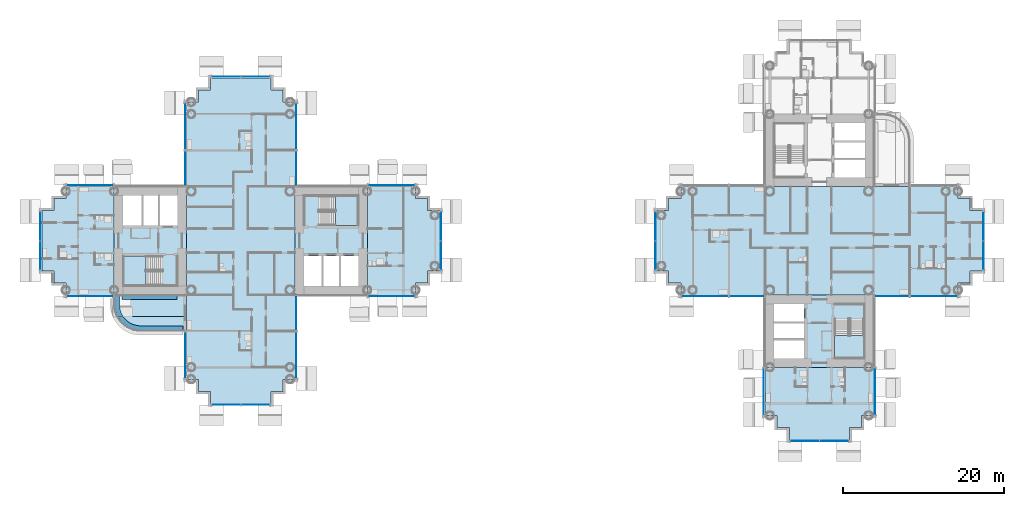
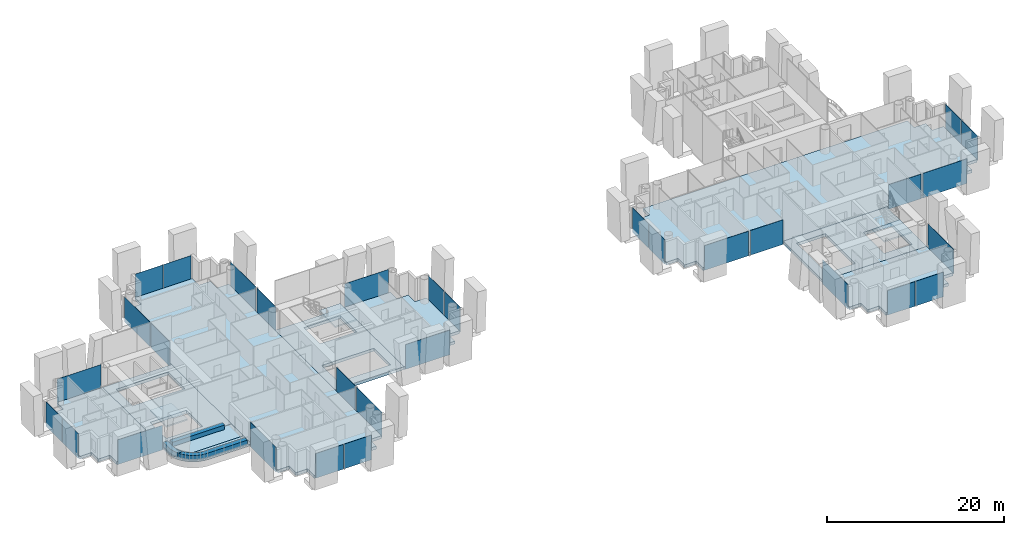
# One storey, part 8 of 25: 31 plates, 16 slabs, 27 elements without a shape of their own.
"""IFC4 building model written with IfcOpenShell, lengths in metres."""

from ifc_helpers import new_model, si_unit, direction, frame, origin, origin_2d, place, context, subcontext, project, spatial, polyline, rectangle, outline, extrude, material, layer, layer_set, type_object, element, aggregate, save


model = new_model("IFC4")

# Units and contexts
model_context = context("Model", 3, precision=1e-05, world=origin(), true_north=direction((0.0, 1.0)))
body_context = subcontext(model_context, "Body", "Model", "MODEL_VIEW")
ifc_project = project(units=[si_unit("LENGTHUNIT", "METRE"), si_unit("AREAUNIT", "SQUARE_METRE"), si_unit("VOLUMEUNIT", "CUBIC_METRE"), si_unit("PLANEANGLEUNIT", "RADIAN"), si_unit("MASSUNIT", "GRAM", prefix="KILO")], contexts=[model_context])

# Site, building, storey
site_placement = place(None, origin())
site = spatial("IfcSite", under=ifc_project, at=site_placement, CompositionType="ELEMENT")
building_placement = place(site_placement, origin())
building = spatial("IfcBuilding", under=site, at=building_placement, Name="Ipe Terrace Towers", CompositionType="ELEMENT")
storey_placement = place(building_placement, frame((0.0, 0.0, 65.300048828125)))
storey = spatial("IfcBuildingStorey", under=building, at=storey_placement, Name="L17", CompositionType="ELEMENT", Elevation=65.300048828125)

# Slabs
ifc_material_1 = material(Name="Concrete C30/37", Category="concrete")
ifc_layer_1 = layer(ifc_material_1, 0.199951171875)
ifc_layer_set_1 = layer_set([ifc_layer_1], Name="BALCONY SLAB 200")
slab_type_1 = type_object("IfcSlabType", Name="BALCONY SLAB 200", PredefinedType="FLOOR", material=ifc_layer_set_1)
slab_1_placement = place(storey_placement, frame((0.0, 0.0, -0.219970703125)))
element("IfcSlab", 1, at=slab_1_placement, inside=storey, type_object=slab_type_1, Name="balcony slab", PredefinedType="FLOOR", context=body_context, shape_type="SweptSolid", body=[
    extrude(outline(polyline([(-51.4990234375, -9.212890625), (-51.382080078125, -9.449951171875), (-42.75, -9.449951171875), (-42.75, -6.75), (-51.75, -6.75), (-51.75, -7.949951171875), (-51.721923828125, -8.381103515625), (-51.637939453125, -8.803955078125), (-51.4990234375, -9.212890625)])), origin(), (0.0, 0.0, 1.0), 0.199951171875),
])
slab_2_placement = place(storey_placement, frame((0.0, 0.0, -0.219970703125)))
element("IfcSlab", 2, at=slab_2_placement, inside=storey, type_object=slab_type_1, Name="balcony slab", PredefinedType="FLOOR", context=body_context, shape_type="SweptSolid", body=[
    extrude(outline(polyline([(-42.75, -11.25), (-42.75, -9.449951171875), (-51.382080078125, -9.449951171875), (-51.30810546875, -9.60009765625), (-51.068115234375, -9.958984375), (-50.782958984375, -10.282958984375), (-50.458984375, -10.568115234375), (-50.10009765625, -10.80810546875), (-49.712890625, -10.9990234375), (-49.303955078125, -11.137939453125), (-48.881103515625, -11.221923828125), (-48.449951171875, -11.25), (-42.75, -11.25)])), origin(), (0.0, 0.0, 1.0), 0.199951171875),
])
ifc_material_2 = material(Name="Concrete C30/37", Category="concrete")
ifc_layer_2 = layer(ifc_material_2, 0.39990234375)
ifc_layer_set_2 = layer_set([ifc_layer_2], Name="CORE FLOOR SLAB 400 C30-37")
slab_type_2 = type_object("IfcSlabType", Name="CORE FLOOR SLAB 400 C30-37", PredefinedType="FLOOR", material=ifc_layer_set_2)
slab_3_placement = place(storey_placement, frame((0.0, 0.0, -0.400146484375)))
element("IfcSlab", 3, at=slab_3_placement, inside=storey, type_object=slab_type_2, Name="Core floor T1-C1", PredefinedType="FLOOR", context=body_context, shape_type="SweptSolid", body=[
    extrude(outline(polyline([(-29.25, -6.75), (-29.25, 6.75), (-20.25, 6.75), (-20.25, -6.75), (-29.25, -6.75)]), holes=[polyline([(-28.14990234375, -5.64990234375), (-21.35009765625, -5.64990234375), (-21.35009765625, -1.89990234375), (-28.14990234375, -1.89990234375), (-28.14990234375, -5.64990234375)]), polyline([(-26.199951171875, 5.550048828125), (-26.199951171875, 1.89990234375), (-21.449951171875, 1.89990234375), (-21.449951171875, 5.550048828125), (-26.199951171875, 5.550048828125)])]), origin(), (0.0, 0.0, 1.0), 0.400146484375),
])
slab_4_placement = place(storey_placement, frame((0.0, 0.0, -0.400146484375)))
element("IfcSlab", 4, at=slab_4_placement, inside=storey, type_object=slab_type_2, Name="Core floor T1-C2", PredefinedType="FLOOR", context=body_context, shape_type="SweptSolid", body=[
    extrude(outline(polyline([(-51.75, -6.75), (-51.75, 6.75), (-42.75, 6.75), (-42.75, -6.75), (-51.75, -6.75)]), holes=[polyline([(-45.800048828125, -5.550048828125), (-45.800048828125, -1.89990234375), (-50.550048828125, -1.89990234375), (-50.550048828125, -5.550048828125), (-45.800048828125, -5.550048828125)]), polyline([(-50.64990234375, 1.89990234375), (-43.85009765625, 1.89990234375), (-43.85009765625, 5.64990234375), (-50.64990234375, 5.64990234375), (-50.64990234375, 1.89990234375)])]), origin(), (0.0, 0.0, 1.0), 0.400146484375),
])
slab_5_placement = place(storey_placement, frame((0.0, 0.0, -0.400146484375)))
element("IfcSlab", 5, at=slab_5_placement, inside=storey, type_object=slab_type_2, Name="Core floor T2-C2", PredefinedType="FLOOR", context=body_context, shape_type="SweptSolid", body=[
    extrude(outline(polyline([(29.25, -15.75), (29.25, -6.75), (42.75, -6.75), (42.75, -15.75), (29.25, -15.75)]), holes=[polyline([(34.10009765625, -14.64990234375), (34.10009765625, -7.85009765625), (30.35009765625, -7.85009765625), (30.35009765625, -14.64990234375), (34.10009765625, -14.64990234375)]), polyline([(41.550048828125, -9.800048828125), (37.89990234375, -9.800048828125), (37.89990234375, -14.550048828125), (41.550048828125, -14.550048828125), (41.550048828125, -9.800048828125)])]), origin(), (0.0, 0.0, 1.0), 0.400146484375),
])

# Stair, slab
ifc_material_3 = material(Name="Concrete C30/37", Category="concrete")
stair_type = type_object("IfcStairType", Name="Protected exit stair", PredefinedType="HALF_TURN_STAIR", material=ifc_material_3)
stair_1_placement = place(storey_placement, origin())
stair_1 = element("IfcStair", 6, at=stair_1_placement, inside=storey, type_object=stair_type, Name="L17 Exit stair T1-C1", PredefinedType="HALF_TURN_STAIR")
ifc_material_4 = material(Name="Concrete C30/37", Category="concrete")
ifc_layer_3 = layer(ifc_material_4, 0.199951171875)
ifc_layer_set_3 = layer_set([ifc_layer_3], Name="Exit stair landing 200")
slab_type_3 = type_object("IfcSlabType", Name="Exit stair landing 200", PredefinedType="LANDING", material=ifc_layer_set_3)
slab_6_placement = place(storey_placement, frame((0.0, 0.0, 1.5)))
slab_6 = element("IfcSlab", 7, at=slab_6_placement, type_object=slab_type_3, Name="T1-ST1 landing 1", PredefinedType="LANDING", context=body_context, shape_type="SweptSolid", body=[
    extrude(outline(polyline([(-24.219970703125, 1.89990234375), (-21.449951171875, 1.89990234375), (-21.449951171875, 5.550048828125), (-24.219970703125, 5.550048828125), (-24.219970703125, 1.89990234375)])), origin(), (0.0, 0.0, 1.0), 0.199951171875),
])
aggregate(stair_1, [slab_6])

stair_2_placement = place(storey_placement, origin())
stair_2 = element("IfcStair", 8, at=stair_2_placement, inside=storey, type_object=stair_type, Name="L17 Exit stair T1-C2", PredefinedType="HALF_TURN_STAIR")
slab_7_placement = place(storey_placement, frame((0.0, 0.0, 1.5)))
slab_7 = element("IfcSlab", 9, at=slab_7_placement, type_object=slab_type_3, Name="T1-ST2 landing 1", PredefinedType="LANDING", context=body_context, shape_type="SweptSolid", body=[
    extrude(outline(polyline([(-47.780029296875, -1.89990234375), (-50.550048828125, -1.89990234375), (-50.550048828125, -5.550048828125), (-47.780029296875, -5.550048828125), (-47.780029296875, -1.89990234375)])), origin(), (0.0, 0.0, 1.0), 0.199951171875),
])
aggregate(stair_2, [slab_7])

stair_3_placement = place(storey_placement, origin())
stair_3 = element("IfcStair", 10, at=stair_3_placement, inside=storey, type_object=stair_type, Name="L17 Exit stair T2-C2", PredefinedType="HALF_TURN_STAIR")
slab_8_placement = place(storey_placement, frame((0.0, 0.0, 1.5)))
slab_8 = element("IfcSlab", 11, at=slab_8_placement, type_object=slab_type_3, Name="T2-ST2 landing 1", PredefinedType="LANDING", context=body_context, shape_type="SweptSolid", body=[
    extrude(outline(polyline([(37.89990234375, -11.780029296875), (37.89990234375, -14.550048828125), (41.550048828125, -14.550048828125), (41.550048828125, -11.780029296875), (37.89990234375, -11.780029296875)])), origin(), (0.0, 0.0, 1.0), 0.199951171875),
])
aggregate(stair_3, [slab_8])

# Slabs
ifc_material_5 = material(Name="Concrete C40/50", Category="concrete")
ifc_layer_4 = layer(ifc_material_5, 0.39990234375)
ifc_layer_set_4 = layer_set([ifc_layer_4], Name="FLAT PLATE SLAB 400 C40-50")
slab_type_4 = type_object("IfcSlabType", Name="FLAT PLATE SLAB 400 C40-50", PredefinedType="FLOOR", material=ifc_layer_set_4)
slab_9_placement = place(storey_placement, frame((0.0, 0.0, -0.400146484375)))
element("IfcSlab", 12, at=slab_9_placement, inside=storey, type_object=slab_type_4, Name="Slab T1-FS-Z11", PredefinedType="FLOOR", context=body_context, shape_type="SweptSolid", body=[
    extrude(outline(polyline([(-30.75, -17.25), (-30.75, -18.75), (-32.25, -18.75), (-32.25, -20.25), (-39.75, -20.25), (-39.75, -18.75), (-41.25, -18.75), (-41.25, -17.25), (-42.75, -17.25), (-42.75, -6.75), (-42.75, 6.75), (-42.75, 17.25), (-41.25, 17.25), (-41.25, 18.75), (-39.75, 18.75), (-39.75, 20.25), (-32.25, 20.25), (-32.25, 18.75), (-30.75, 18.75), (-30.75, 17.25), (-29.25, 17.25), (-29.25, 6.75), (-29.25, -6.75), (-29.25, -17.25), (-30.75, -17.25)])), origin(), (0.0, 0.0, 1.0), 0.400146484375),
])
slab_10_placement = place(storey_placement, frame((0.0, 0.0, -0.400146484375)))
element("IfcSlab", 13, at=slab_10_placement, inside=storey, type_object=slab_type_4, Name="Slab T1-FS-Z12", PredefinedType="FLOOR", context=body_context, shape_type="SweptSolid", body=[
    extrude(outline(polyline([(-57.75, -6.75), (-57.75, -5.25), (-59.25, -5.25), (-59.25, -3.75), (-60.75, -3.75), (-60.75, 3.75), (-59.25, 3.75), (-59.25, 5.25), (-57.75, 5.25), (-57.75, 6.75), (-51.75, 6.75), (-51.75, -6.75), (-57.75, -6.75)])), origin(), (0.0, 0.0, 1.0), 0.400146484375),
])
slab_11_placement = place(storey_placement, frame((0.0, 0.0, -0.400146484375)))
element("IfcSlab", 14, at=slab_11_placement, inside=storey, type_object=slab_type_4, Name="Slab T1-FS-Z13", PredefinedType="FLOOR", context=body_context, shape_type="SweptSolid", body=[
    extrude(outline(polyline([(-14.25, 5.25), (-12.75, 5.25), (-12.75, 3.75), (-11.25, 3.75), (-11.25, -3.75), (-12.75, -3.75), (-12.75, -5.25), (-14.25, -5.25), (-14.25, -6.75), (-20.25, -6.75), (-20.25, 6.75), (-14.25, 6.75), (-14.25, 5.25)])), origin(), (0.0, 0.0, 1.0), 0.400146484375),
])
slab_12_placement = place(storey_placement, frame((0.0, 0.0, -0.400146484375)))
element("IfcSlab", 15, at=slab_12_placement, inside=storey, type_object=slab_type_4, Name="Slab T2-FS-Z11", PredefinedType="FLOOR", context=body_context, shape_type="SweptSolid", body=[
    extrude(outline(polyline([(53.25, 5.25), (54.75, 5.25), (54.75, 3.75), (56.25, 3.75), (56.25, -3.75), (54.75, -3.75), (54.75, -5.25), (53.25, -5.25), (53.25, -6.75), (42.75, -6.75), (29.25, -6.75), (18.75, -6.75), (18.75, -5.25), (17.25, -5.25), (17.25, -3.75), (15.75, -3.75), (15.75, 3.75), (17.25, 3.75), (17.25, 5.25), (18.75, 5.25), (18.75, 6.75), (29.25, 6.75), (42.75, 6.75), (53.25, 6.75), (53.25, 5.25)])), origin(), (0.0, 0.0, 1.0), 0.400146484375),
])
slab_13_placement = place(storey_placement, frame((0.0, 0.0, -0.400146484375)))
element("IfcSlab", 16, at=slab_13_placement, inside=storey, type_object=slab_type_4, Name="Slab T2-FS-Z12", PredefinedType="FLOOR", context=body_context, shape_type="SweptSolid", body=[
    extrude(outline(polyline([(42.75, -21.75), (41.25, -21.75), (41.25, -23.25), (39.75, -23.25), (39.75, -24.75), (32.25, -24.75), (32.25, -23.25), (30.75, -23.25), (30.75, -21.75), (29.25, -21.75), (29.25, -15.75), (42.75, -15.75), (42.75, -21.75)])), origin(), (0.0, 0.0, 1.0), 0.400146484375),
])
ifc_material_6 = material(Name="Concrete C30/37", Category="concrete")
ifc_layer_5 = layer(ifc_material_6, 0.60009765625)
ifc_layer_set_5 = layer_set([ifc_layer_5], Name="PLANTER TROUGH 550 x 600")
slab_type_5 = type_object("IfcSlabType", Name="PLANTER TROUGH 550 x 600", PredefinedType="USERDEFINED", material=ifc_layer_set_5)
slab_14_placement = place(storey_placement, frame((0.0, 0.0, -0.02001953125)))
element("IfcSlab", 17, at=slab_14_placement, inside=storey, type_object=slab_type_5, Name="planter", ObjectType="PLANTER", PredefinedType="USERDEFINED", context=body_context, shape_type="SweptSolid", body=[
    extrude(outline(polyline([(-50.9990234375, -8.633056640625), (-51.06591796875, -8.2939453125), (-51.090087890625, -7.927978515625), (-51.090087890625, -6.75), (-51.639892578125, -6.75), (-51.639892578125, -7.93701171875), (-51.638916015625, -7.955078125), (-51.614013671875, -8.347900390625), (-51.60888671875, -8.384033203125), (-51.534912109375, -8.758056640625), (-51.52490234375, -8.79296875), (-51.403076171875, -9.154052734375), (-51.388916015625, -9.18701171875), (-51.259033203125, -9.449951171875), (-50.614013671875, -9.449951171875), (-50.735107421875, -9.26904296875), (-50.887939453125, -8.9599609375), (-50.9990234375, -8.633056640625)])), origin(), (0.0, 0.0, 1.0), 0.599853515625),
])
slab_15_placement = place(storey_placement, frame((0.0, 0.0, -0.02001953125)))
element("IfcSlab", 18, at=slab_15_placement, inside=storey, type_object=slab_type_5, Name="planter", ObjectType="PLANTER", PredefinedType="USERDEFINED", context=body_context, shape_type="SweptSolid", body=[
    extrude(outline(polyline([(-50.54296875, -9.555908203125), (-50.614013671875, -9.449951171875), (-51.259033203125, -9.449951171875), (-51.219970703125, -9.529052734375), (-51.201904296875, -9.56005859375), (-50.990966796875, -9.876953125), (-50.968994140625, -9.905029296875), (-50.717041015625, -10.19189453125), (-50.69189453125, -10.217041015625), (-50.405029296875, -10.468994140625), (-50.376953125, -10.490966796875), (-50.06005859375, -10.701904296875), (-50.029052734375, -10.719970703125), (-49.68701171875, -10.888916015625), (-49.654052734375, -10.903076171875), (-49.29296875, -11.02490234375), (-49.258056640625, -11.034912109375), (-48.884033203125, -11.10888671875), (-48.847900390625, -11.114013671875), (-48.455078125, -11.138916015625), (-48.43701171875, -11.139892578125), (-43.199951171875, -11.139892578125), (-43.199951171875, -10.590087890625), (-48.427978515625, -10.590087890625), (-48.7939453125, -10.56591796875), (-49.133056640625, -10.4990234375), (-49.4599609375, -10.387939453125), (-49.76904296875, -10.235107421875), (-50.055908203125, -10.04296875), (-50.31591796875, -9.81591796875), (-50.54296875, -9.555908203125)])), origin(), (0.0, 0.0, 1.0), 0.599853515625),
])
slab_16_placement = place(storey_placement, frame((0.0, 0.0, -0.02001953125)))
element("IfcSlab", 19, at=slab_16_placement, inside=storey, type_object=slab_type_5, Name="planter", ObjectType="PLANTER", PredefinedType="USERDEFINED", context=body_context, shape_type="SweptSolid", body=[
    extrude(outline(polyline([(-43.949951171875, -6.75), (-50.75, -6.75), (-50.75, -7.300048828125), (-43.949951171875, -7.300048828125), (-43.949951171875, -6.75)])), origin(), (0.0, 0.0, 1.0), 0.599853515625),
])

# Curtain wall, plate
ifc_material_7 = material(Name="Aluminium alloy 6063-T6", Category="aluminium")
ifc_layer_6 = layer(ifc_material_7, 0.320068359375)
ifc_layer_set_6 = layer_set([ifc_layer_6], Name="TOWER UNITISED CURTAIN WALL")
curtain_wall_type = type_object("IfcCurtainWallType", Name="TOWER UNITISED CURTAIN WALL", PredefinedType="NOTDEFINED", material=ifc_layer_set_6)
curtain_wall_1_placement = place(storey_placement, origin())
curtain_wall_1 = element("IfcCurtainWall", 20, at=curtain_wall_1_placement, inside=storey, type_object=curtain_wall_type, Name="T1-CW-L17-04a curtain wall", PredefinedType="NOTDEFINED")
ifc_material_8 = material(Name="Glass, clear laminated", Category="glass")
ifc_layer_7 = layer(ifc_material_8, 0.031982421875)
ifc_layer_set_7 = layer_set([ifc_layer_7], Name="TOWER UNITISED GLASS PANEL 32")
plate_type = type_object("IfcPlateType", Name="TOWER UNITISED GLASS PANEL 32", PredefinedType="CURTAIN_PANEL", material=ifc_layer_set_7)
plate_1_placement = place(storey_placement, frame((-54.75048828125, -6.909912109375, -0.300048828125), z_axis=(0.0, 0.0, 1.0), x_axis=(1.0, 0.0, 0.0)))
plate_1 = element("IfcPlate", 21, at=plate_1_placement, type_object=plate_type, Name="T1-CW-L17-04a panel 1", PredefinedType="CURTAIN_PANEL", context=body_context, shape_type="SweptSolid", body=[
    extrude(rectangle(XDim=5.759033203125, YDim=0.031982421875, at=origin_2d()), origin(), (0.0, 0.0, 1.0), 3.39990234375),
])
aggregate(curtain_wall_1, [plate_1])

curtain_wall_2_placement = place(storey_placement, origin())
curtain_wall_2 = element("IfcCurtainWall", 22, at=curtain_wall_2_placement, inside=storey, type_object=curtain_wall_type, Name="T1-CW-L17-07a curtain wall", PredefinedType="NOTDEFINED")
plate_2_placement = place(storey_placement, frame((-42.909912109375, -14.25, -0.300048828125), z_axis=(0.0, 0.0, 1.0), x_axis=(0.0, -1.0, 0.0)))
plate_2 = element("IfcPlate", 23, at=plate_2_placement, type_object=plate_type, Name="T1-CW-L17-07a panel 1", PredefinedType="CURTAIN_PANEL", context=body_context, shape_type="SweptSolid", body=[
    extrude(rectangle(XDim=5.760009765625, YDim=0.031982421875, at=origin_2d()), origin(), (0.0, 0.0, 1.0), 3.39990234375),
])
aggregate(curtain_wall_2, [plate_2])

# Curtain wall, plates
curtain_wall_3_placement = place(storey_placement, origin())
curtain_wall_3 = element("IfcCurtainWall", 24, at=curtain_wall_3_placement, inside=storey, type_object=curtain_wall_type, Name="T1-CW-L17-12a curtain wall", PredefinedType="NOTDEFINED")
plate_3_placement = place(storey_placement, frame((-37.831298828125, -20.409912109375, -0.300048828125), z_axis=(0.0, 0.0, 1.0), x_axis=(1.0, 0.0, 0.0)))
plate_3 = element("IfcPlate", 25, at=plate_3_placement, type_object=plate_type, Name="T1-CW-L17-12a panel 1", PredefinedType="CURTAIN_PANEL", context=body_context, shape_type="SweptSolid", body=[
    extrude(rectangle(XDim=3.597412109375, YDim=0.031982421875, at=origin_2d()), origin(), (0.0, 0.0, 1.0), 3.39990234375),
])
plate_4_placement = place(storey_placement, frame((-34.168701171875, -20.409912109375, -0.300048828125), z_axis=(0.0, 0.0, 1.0), x_axis=(1.0, 0.0, 0.0)))
plate_4 = element("IfcPlate", 26, at=plate_4_placement, type_object=plate_type, Name="T1-CW-L17-12a panel 2", PredefinedType="CURTAIN_PANEL", context=body_context, shape_type="SweptSolid", body=[
    extrude(rectangle(XDim=3.597412109375, YDim=0.031982421875, at=origin_2d()), origin(), (0.0, 0.0, 1.0), 3.39990234375),
])
aggregate(curtain_wall_3, [plate_3, plate_4])

# Curtain wall, plate
curtain_wall_4_placement = place(storey_placement, origin())
curtain_wall_4 = element("IfcCurtainWall", 27, at=curtain_wall_4_placement, inside=storey, type_object=curtain_wall_type, Name="T1-CW-L17-17a curtain wall", PredefinedType="NOTDEFINED")
plate_5_placement = place(storey_placement, frame((-29.090087890625, -14.25, -0.300048828125), z_axis=(0.0, 0.0, 1.0), x_axis=(0.0, 1.0, 0.0)))
plate_5 = element("IfcPlate", 28, at=plate_5_placement, type_object=plate_type, Name="T1-CW-L17-17a panel 1", PredefinedType="CURTAIN_PANEL", context=body_context, shape_type="SweptSolid", body=[
    extrude(rectangle(XDim=5.760009765625, YDim=0.031982421875, at=origin_2d()), origin(), (0.0, 0.0, 1.0), 3.39990234375),
])
aggregate(curtain_wall_4, [plate_5])

curtain_wall_5_placement = place(storey_placement, origin())
curtain_wall_5 = element("IfcCurtainWall", 29, at=curtain_wall_5_placement, inside=storey, type_object=curtain_wall_type, Name="T1-CW-L17-18a curtain wall", PredefinedType="NOTDEFINED")
plate_6_placement = place(storey_placement, frame((-29.090087890625, -9.0, -0.300048828125), z_axis=(0.0, 0.0, 1.0), x_axis=(0.0, 1.0, 0.0)))
plate_6 = element("IfcPlate", 30, at=plate_6_placement, type_object=plate_type, Name="T1-CW-L17-18a panel 1", PredefinedType="CURTAIN_PANEL", context=body_context, shape_type="SweptSolid", body=[
    extrude(rectangle(XDim=4.260009765625, YDim=0.031982421875, at=origin_2d()), origin(), (0.0, 0.0, 1.0), 3.39990234375),
])
aggregate(curtain_wall_5, [plate_6])

curtain_wall_6_placement = place(storey_placement, origin())
curtain_wall_6 = element("IfcCurtainWall", 31, at=curtain_wall_6_placement, inside=storey, type_object=curtain_wall_type, Name="T1-CW-L17-20b curtain wall", PredefinedType="NOTDEFINED")
plate_7_placement = place(storey_placement, frame((-17.24951171875, -6.909912109375, -0.300048828125), z_axis=(0.0, 0.0, 1.0), x_axis=(1.0, 0.0, 0.0)))
plate_7 = element("IfcPlate", 32, at=plate_7_placement, type_object=plate_type, Name="T1-CW-L17-20b panel 1", PredefinedType="CURTAIN_PANEL", context=body_context, shape_type="SweptSolid", body=[
    extrude(rectangle(XDim=5.759033203125, YDim=0.031982421875, at=origin_2d()), origin(), (0.0, 0.0, 1.0), 3.39990234375),
])
aggregate(curtain_wall_6, [plate_7])

# Curtain wall, plates
curtain_wall_7_placement = place(storey_placement, origin())
curtain_wall_7 = element("IfcCurtainWall", 33, at=curtain_wall_7_placement, inside=storey, type_object=curtain_wall_type, Name="T1-CW-L17-25a curtain wall", PredefinedType="NOTDEFINED")
plate_8_placement = place(storey_placement, frame((-11.090087890625, -1.831298828125, -0.300048828125), z_axis=(0.0, 0.0, 1.0), x_axis=(0.0, 1.0, 0.0)))
plate_8 = element("IfcPlate", 34, at=plate_8_placement, type_object=plate_type, Name="T1-CW-L17-25a panel 1", PredefinedType="CURTAIN_PANEL", context=body_context, shape_type="SweptSolid", body=[
    extrude(rectangle(XDim=3.597412109375, YDim=0.031982421875, at=origin_2d()), origin(), (0.0, 0.0, 1.0), 3.39990234375),
])
plate_9_placement = place(storey_placement, frame((-11.090087890625, 1.831298828125, -0.300048828125), z_axis=(0.0, 0.0, 1.0), x_axis=(0.0, 1.0, 0.0)))
plate_9 = element("IfcPlate", 35, at=plate_9_placement, type_object=plate_type, Name="T1-CW-L17-25a panel 2", PredefinedType="CURTAIN_PANEL", context=body_context, shape_type="SweptSolid", body=[
    extrude(rectangle(XDim=3.597412109375, YDim=0.031982421875, at=origin_2d()), origin(), (0.0, 0.0, 1.0), 3.39990234375),
])
aggregate(curtain_wall_7, [plate_8, plate_9])

# Curtain wall, plate
curtain_wall_8_placement = place(storey_placement, origin())
curtain_wall_8 = element("IfcCurtainWall", 36, at=curtain_wall_8_placement, inside=storey, type_object=curtain_wall_type, Name="T1-CW-L17-30a curtain wall", PredefinedType="NOTDEFINED")
plate_10_placement = place(storey_placement, frame((-17.24951171875, 6.909912109375, -0.300048828125), z_axis=(0.0, 0.0, 1.0), x_axis=(-1.0, 0.0, 0.0)))
plate_10 = element("IfcPlate", 37, at=plate_10_placement, type_object=plate_type, Name="T1-CW-L17-30a panel 1", PredefinedType="CURTAIN_PANEL", context=body_context, shape_type="SweptSolid", body=[
    extrude(rectangle(XDim=5.759033203125, YDim=0.031982421875, at=origin_2d()), origin(), (0.0, 0.0, 1.0), 3.39990234375),
])
aggregate(curtain_wall_8, [plate_10])

curtain_wall_9_placement = place(storey_placement, origin())
curtain_wall_9 = element("IfcCurtainWall", 38, at=curtain_wall_9_placement, inside=storey, type_object=curtain_wall_type, Name="T1-CW-L17-32a curtain wall", PredefinedType="NOTDEFINED")
plate_11_placement = place(storey_placement, frame((-29.090087890625, 9.0, -0.300048828125), z_axis=(0.0, 0.0, 1.0), x_axis=(0.0, 1.0, 0.0)))
plate_11 = element("IfcPlate", 39, at=plate_11_placement, type_object=plate_type, Name="T1-CW-L17-32a panel 1", PredefinedType="CURTAIN_PANEL", context=body_context, shape_type="SweptSolid", body=[
    extrude(rectangle(XDim=4.260009765625, YDim=0.031982421875, at=origin_2d()), origin(), (0.0, 0.0, 1.0), 3.39990234375),
])
aggregate(curtain_wall_9, [plate_11])

curtain_wall_10_placement = place(storey_placement, origin())
curtain_wall_10 = element("IfcCurtainWall", 40, at=curtain_wall_10_placement, inside=storey, type_object=curtain_wall_type, Name="T1-CW-L17-33a curtain wall", PredefinedType="NOTDEFINED")
plate_12_placement = place(storey_placement, frame((-29.090087890625, 14.25, -0.300048828125), z_axis=(0.0, 0.0, 1.0), x_axis=(0.0, 1.0, 0.0)))
plate_12 = element("IfcPlate", 41, at=plate_12_placement, type_object=plate_type, Name="T1-CW-L17-33a panel 1", PredefinedType="CURTAIN_PANEL", context=body_context, shape_type="SweptSolid", body=[
    extrude(rectangle(XDim=5.760009765625, YDim=0.031982421875, at=origin_2d()), origin(), (0.0, 0.0, 1.0), 3.39990234375),
])
aggregate(curtain_wall_10, [plate_12])

# Curtain wall, plates
curtain_wall_11_placement = place(storey_placement, origin())
curtain_wall_11 = element("IfcCurtainWall", 42, at=curtain_wall_11_placement, inside=storey, type_object=curtain_wall_type, Name="T1-CW-L17-38a curtain wall", PredefinedType="NOTDEFINED")
plate_13_placement = place(storey_placement, frame((-34.168701171875, 20.409912109375, -0.300048828125), z_axis=(0.0, 0.0, 1.0), x_axis=(-1.0, 0.0, 0.0)))
plate_13 = element("IfcPlate", 43, at=plate_13_placement, type_object=plate_type, Name="T1-CW-L17-38a panel 1", PredefinedType="CURTAIN_PANEL", context=body_context, shape_type="SweptSolid", body=[
    extrude(rectangle(XDim=3.597412109375, YDim=0.031982421875, at=origin_2d()), origin(), (0.0, 0.0, 1.0), 3.39990234375),
])
plate_14_placement = place(storey_placement, frame((-37.831298828125, 20.409912109375, -0.300048828125), z_axis=(0.0, 0.0, 1.0), x_axis=(-1.0, 0.0, 0.0)))
plate_14 = element("IfcPlate", 44, at=plate_14_placement, type_object=plate_type, Name="T1-CW-L17-38a panel 2", PredefinedType="CURTAIN_PANEL", context=body_context, shape_type="SweptSolid", body=[
    extrude(rectangle(XDim=3.597412109375, YDim=0.031982421875, at=origin_2d()), origin(), (0.0, 0.0, 1.0), 3.39990234375),
])
aggregate(curtain_wall_11, [plate_13, plate_14])

# Curtain wall, plate
curtain_wall_12_placement = place(storey_placement, origin())
curtain_wall_12 = element("IfcCurtainWall", 45, at=curtain_wall_12_placement, inside=storey, type_object=curtain_wall_type, Name="T1-CW-L17-43a curtain wall", PredefinedType="NOTDEFINED")
plate_15_placement = place(storey_placement, frame((-42.909912109375, 14.25, -0.300048828125), z_axis=(0.0, 0.0, 1.0), x_axis=(0.0, -1.0, 0.0)))
plate_15 = element("IfcPlate", 46, at=plate_15_placement, type_object=plate_type, Name="T1-CW-L17-43a panel 1", PredefinedType="CURTAIN_PANEL", context=body_context, shape_type="SweptSolid", body=[
    extrude(rectangle(XDim=5.760009765625, YDim=0.031982421875, at=origin_2d()), origin(), (0.0, 0.0, 1.0), 3.39990234375),
])
aggregate(curtain_wall_12, [plate_15])

curtain_wall_13_placement = place(storey_placement, origin())
curtain_wall_13 = element("IfcCurtainWall", 47, at=curtain_wall_13_placement, inside=storey, type_object=curtain_wall_type, Name="T1-CW-L17-44a curtain wall", PredefinedType="NOTDEFINED")
plate_16_placement = place(storey_placement, frame((-42.909912109375, 9.0, -0.300048828125), z_axis=(0.0, 0.0, 1.0), x_axis=(0.0, -1.0, 0.0)))
plate_16 = element("IfcPlate", 48, at=plate_16_placement, type_object=plate_type, Name="T1-CW-L17-44a panel 1", PredefinedType="CURTAIN_PANEL", context=body_context, shape_type="SweptSolid", body=[
    extrude(rectangle(XDim=4.260009765625, YDim=0.031982421875, at=origin_2d()), origin(), (0.0, 0.0, 1.0), 3.39990234375),
])
aggregate(curtain_wall_13, [plate_16])

curtain_wall_14_placement = place(storey_placement, origin())
curtain_wall_14 = element("IfcCurtainWall", 49, at=curtain_wall_14_placement, inside=storey, type_object=curtain_wall_type, Name="T1-CW-L17-46b curtain wall", PredefinedType="NOTDEFINED")
plate_17_placement = place(storey_placement, frame((-54.75048828125, 6.909912109375, -0.300048828125), z_axis=(0.0, 0.0, 1.0), x_axis=(-1.0, 0.0, 0.0)))
plate_17 = element("IfcPlate", 50, at=plate_17_placement, type_object=plate_type, Name="T1-CW-L17-46b panel 1", PredefinedType="CURTAIN_PANEL", context=body_context, shape_type="SweptSolid", body=[
    extrude(rectangle(XDim=5.759033203125, YDim=0.031982421875, at=origin_2d()), origin(), (0.0, 0.0, 1.0), 3.39990234375),
])
aggregate(curtain_wall_14, [plate_17])

# Curtain wall, plates
curtain_wall_15_placement = place(storey_placement, origin())
curtain_wall_15 = element("IfcCurtainWall", 51, at=curtain_wall_15_placement, inside=storey, type_object=curtain_wall_type, Name="T1-CW-L17-51a curtain wall", PredefinedType="NOTDEFINED")
plate_18_placement = place(storey_placement, frame((-60.909912109375, 1.831298828125, -0.300048828125), z_axis=(0.0, 0.0, 1.0), x_axis=(0.0, -1.0, 0.0)))
plate_18 = element("IfcPlate", 52, at=plate_18_placement, type_object=plate_type, Name="T1-CW-L17-51a panel 1", PredefinedType="CURTAIN_PANEL", context=body_context, shape_type="SweptSolid", body=[
    extrude(rectangle(XDim=3.597412109375, YDim=0.031982421875, at=origin_2d()), origin(), (0.0, 0.0, 1.0), 3.39990234375),
])
plate_19_placement = place(storey_placement, frame((-60.909912109375, -1.831298828125, -0.300048828125), z_axis=(0.0, 0.0, 1.0), x_axis=(0.0, -1.0, 0.0)))
plate_19 = element("IfcPlate", 53, at=plate_19_placement, type_object=plate_type, Name="T1-CW-L17-51a panel 2", PredefinedType="CURTAIN_PANEL", context=body_context, shape_type="SweptSolid", body=[
    extrude(rectangle(XDim=3.597412109375, YDim=0.031982421875, at=origin_2d()), origin(), (0.0, 0.0, 1.0), 3.39990234375),
])
aggregate(curtain_wall_15, [plate_18, plate_19])

# Curtain wall, plate
curtain_wall_16_placement = place(storey_placement, origin())
curtain_wall_16 = element("IfcCurtainWall", 54, at=curtain_wall_16_placement, inside=storey, type_object=curtain_wall_type, Name="T2-CW-L17-04a curtain wall", PredefinedType="NOTDEFINED")
plate_20_placement = place(storey_placement, frame((42.909912109375, -18.75048828125, -0.300048828125), z_axis=(0.0, 0.0, 1.0), x_axis=(0.0, 1.0, 0.0)))
plate_20 = element("IfcPlate", 55, at=plate_20_placement, type_object=plate_type, Name="T2-CW-L17-04a panel 1", PredefinedType="CURTAIN_PANEL", context=body_context, shape_type="SweptSolid", body=[
    extrude(rectangle(XDim=5.759033203125, YDim=0.031982421875, at=origin_2d()), origin(), (0.0, 0.0, 1.0), 3.39990234375),
])
aggregate(curtain_wall_16, [plate_20])

curtain_wall_17_placement = place(storey_placement, origin())
curtain_wall_17 = element("IfcCurtainWall", 56, at=curtain_wall_17_placement, inside=storey, type_object=curtain_wall_type, Name="T2-CW-L17-06a curtain wall", PredefinedType="NOTDEFINED")
plate_21_placement = place(storey_placement, frame((45.0, -6.909912109375, -0.300048828125), z_axis=(0.0, 0.0, 1.0), x_axis=(1.0, 0.0, 0.0)))
plate_21 = element("IfcPlate", 57, at=plate_21_placement, type_object=plate_type, Name="T2-CW-L17-06a panel 1", PredefinedType="CURTAIN_PANEL", context=body_context, shape_type="SweptSolid", body=[
    extrude(rectangle(XDim=4.260009765625, YDim=0.031982421875, at=origin_2d()), origin(), (0.0, 0.0, 1.0), 3.39990234375),
])
aggregate(curtain_wall_17, [plate_21])

curtain_wall_18_placement = place(storey_placement, origin())
curtain_wall_18 = element("IfcCurtainWall", 58, at=curtain_wall_18_placement, inside=storey, type_object=curtain_wall_type, Name="T2-CW-L17-07a curtain wall", PredefinedType="NOTDEFINED")
plate_22_placement = place(storey_placement, frame((50.25, -6.909912109375, -0.300048828125), z_axis=(0.0, 0.0, 1.0), x_axis=(1.0, 0.0, 0.0)))
plate_22 = element("IfcPlate", 59, at=plate_22_placement, type_object=plate_type, Name="T2-CW-L17-07a panel 1", PredefinedType="CURTAIN_PANEL", context=body_context, shape_type="SweptSolid", body=[
    extrude(rectangle(XDim=5.760009765625, YDim=0.031982421875, at=origin_2d()), origin(), (0.0, 0.0, 1.0), 3.39990234375),
])
aggregate(curtain_wall_18, [plate_22])

# Curtain wall, plates
curtain_wall_19_placement = place(storey_placement, origin())
curtain_wall_19 = element("IfcCurtainWall", 60, at=curtain_wall_19_placement, inside=storey, type_object=curtain_wall_type, Name="T2-CW-L17-12a curtain wall", PredefinedType="NOTDEFINED")
plate_23_placement = place(storey_placement, frame((56.409912109375, -1.831298828125, -0.300048828125), z_axis=(0.0, 0.0, 1.0), x_axis=(0.0, 1.0, 0.0)))
plate_23 = element("IfcPlate", 61, at=plate_23_placement, type_object=plate_type, Name="T2-CW-L17-12a panel 1", PredefinedType="CURTAIN_PANEL", context=body_context, shape_type="SweptSolid", body=[
    extrude(rectangle(XDim=3.597412109375, YDim=0.031982421875, at=origin_2d()), origin(), (0.0, 0.0, 1.0), 3.39990234375),
])
plate_24_placement = place(storey_placement, frame((56.409912109375, 1.831298828125, -0.300048828125), z_axis=(0.0, 0.0, 1.0), x_axis=(0.0, 1.0, 0.0)))
plate_24 = element("IfcPlate", 62, at=plate_24_placement, type_object=plate_type, Name="T2-CW-L17-12a panel 2", PredefinedType="CURTAIN_PANEL", context=body_context, shape_type="SweptSolid", body=[
    extrude(rectangle(XDim=3.597412109375, YDim=0.031982421875, at=origin_2d()), origin(), (0.0, 0.0, 1.0), 3.39990234375),
])
aggregate(curtain_wall_19, [plate_23, plate_24])

curtain_wall_20_placement = place(storey_placement, origin())
curtain_wall_20 = element("IfcCurtainWall", 63, at=curtain_wall_20_placement, inside=storey, type_object=curtain_wall_type, Name="T2-CW-L17-38a curtain wall", PredefinedType="NOTDEFINED")
plate_25_placement = place(storey_placement, frame((15.590087890625, 1.831298828125, -0.300048828125), z_axis=(0.0, 0.0, 1.0), x_axis=(0.0, -1.0, 0.0)))
plate_25 = element("IfcPlate", 64, at=plate_25_placement, type_object=plate_type, Name="T2-CW-L17-38a panel 1", PredefinedType="CURTAIN_PANEL", context=body_context, shape_type="SweptSolid", body=[
    extrude(rectangle(XDim=3.597412109375, YDim=0.031982421875, at=origin_2d()), origin(), (0.0, 0.0, 1.0), 3.39990234375),
])
plate_26_placement = place(storey_placement, frame((15.590087890625, -1.831298828125, -0.300048828125), z_axis=(0.0, 0.0, 1.0), x_axis=(0.0, -1.0, 0.0)))
plate_26 = element("IfcPlate", 65, at=plate_26_placement, type_object=plate_type, Name="T2-CW-L17-38a panel 2", PredefinedType="CURTAIN_PANEL", context=body_context, shape_type="SweptSolid", body=[
    extrude(rectangle(XDim=3.597412109375, YDim=0.031982421875, at=origin_2d()), origin(), (0.0, 0.0, 1.0), 3.39990234375),
])
aggregate(curtain_wall_20, [plate_25, plate_26])

# Curtain wall, plate
curtain_wall_21_placement = place(storey_placement, origin())
curtain_wall_21 = element("IfcCurtainWall", 66, at=curtain_wall_21_placement, inside=storey, type_object=curtain_wall_type, Name="T2-CW-L17-43a curtain wall", PredefinedType="NOTDEFINED")
plate_27_placement = place(storey_placement, frame((21.75, -6.909912109375, -0.300048828125), z_axis=(0.0, 0.0, 1.0), x_axis=(1.0, 0.0, 0.0)))
plate_27 = element("IfcPlate", 67, at=plate_27_placement, type_object=plate_type, Name="T2-CW-L17-43a panel 1", PredefinedType="CURTAIN_PANEL", context=body_context, shape_type="SweptSolid", body=[
    extrude(rectangle(XDim=5.760009765625, YDim=0.031982421875, at=origin_2d()), origin(), (0.0, 0.0, 1.0), 3.39990234375),
])
aggregate(curtain_wall_21, [plate_27])

curtain_wall_22_placement = place(storey_placement, origin())
curtain_wall_22 = element("IfcCurtainWall", 68, at=curtain_wall_22_placement, inside=storey, type_object=curtain_wall_type, Name="T2-CW-L17-44a curtain wall", PredefinedType="NOTDEFINED")
plate_28_placement = place(storey_placement, frame((27.0, -6.909912109375, -0.300048828125), z_axis=(0.0, 0.0, 1.0), x_axis=(1.0, 0.0, 0.0)))
plate_28 = element("IfcPlate", 69, at=plate_28_placement, type_object=plate_type, Name="T2-CW-L17-44a panel 1", PredefinedType="CURTAIN_PANEL", context=body_context, shape_type="SweptSolid", body=[
    extrude(rectangle(XDim=4.260009765625, YDim=0.031982421875, at=origin_2d()), origin(), (0.0, 0.0, 1.0), 3.39990234375),
])
aggregate(curtain_wall_22, [plate_28])

curtain_wall_23_placement = place(storey_placement, origin())
curtain_wall_23 = element("IfcCurtainWall", 70, at=curtain_wall_23_placement, inside=storey, type_object=curtain_wall_type, Name="T2-CW-L17-46b curtain wall", PredefinedType="NOTDEFINED")
plate_29_placement = place(storey_placement, frame((29.090087890625, -18.75048828125, -0.300048828125), z_axis=(0.0, 0.0, 1.0), x_axis=(0.0, -1.0, 0.0)))
plate_29 = element("IfcPlate", 71, at=plate_29_placement, type_object=plate_type, Name="T2-CW-L17-46b panel 1", PredefinedType="CURTAIN_PANEL", context=body_context, shape_type="SweptSolid", body=[
    extrude(rectangle(XDim=5.759033203125, YDim=0.031982421875, at=origin_2d()), origin(), (0.0, 0.0, 1.0), 3.39990234375),
])
aggregate(curtain_wall_23, [plate_29])

# Curtain wall, plates
curtain_wall_24_placement = place(storey_placement, origin())
curtain_wall_24 = element("IfcCurtainWall", 72, at=curtain_wall_24_placement, inside=storey, type_object=curtain_wall_type, Name="T2-CW-L17-51a curtain wall", PredefinedType="NOTDEFINED")
plate_30_placement = place(storey_placement, frame((34.168701171875, -24.909912109375, -0.300048828125), z_axis=(0.0, 0.0, 1.0), x_axis=(1.0, 0.0, 0.0)))
plate_30 = element("IfcPlate", 73, at=plate_30_placement, type_object=plate_type, Name="T2-CW-L17-51a panel 1", PredefinedType="CURTAIN_PANEL", context=body_context, shape_type="SweptSolid", body=[
    extrude(rectangle(XDim=3.597412109375, YDim=0.031982421875, at=origin_2d()), origin(), (0.0, 0.0, 1.0), 3.39990234375),
])
plate_31_placement = place(storey_placement, frame((37.831298828125, -24.909912109375, -0.300048828125), z_axis=(0.0, 0.0, 1.0), x_axis=(1.0, 0.0, 0.0)))
plate_31 = element("IfcPlate", 74, at=plate_31_placement, type_object=plate_type, Name="T2-CW-L17-51a panel 2", PredefinedType="CURTAIN_PANEL", context=body_context, shape_type="SweptSolid", body=[
    extrude(rectangle(XDim=3.597412109375, YDim=0.031982421875, at=origin_2d()), origin(), (0.0, 0.0, 1.0), 3.39990234375),
])
aggregate(curtain_wall_24, [plate_30, plate_31])

save(model, "model.ifc")
